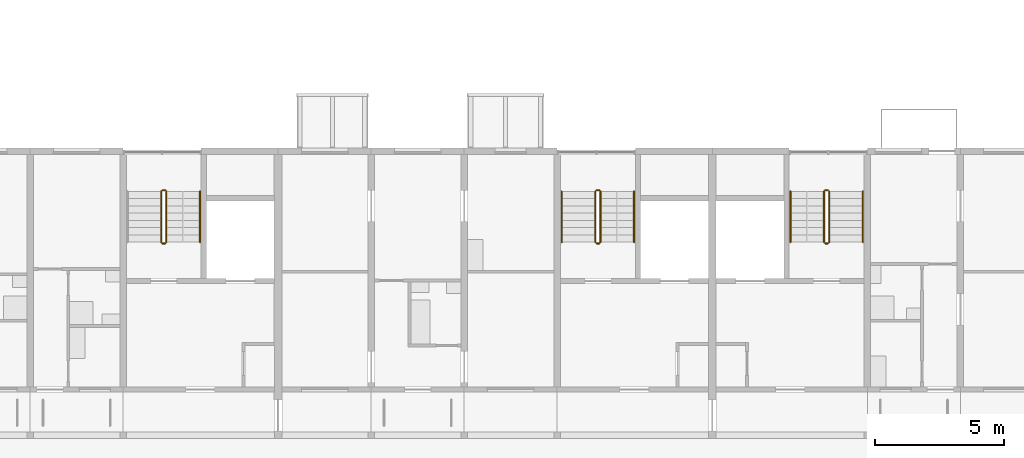
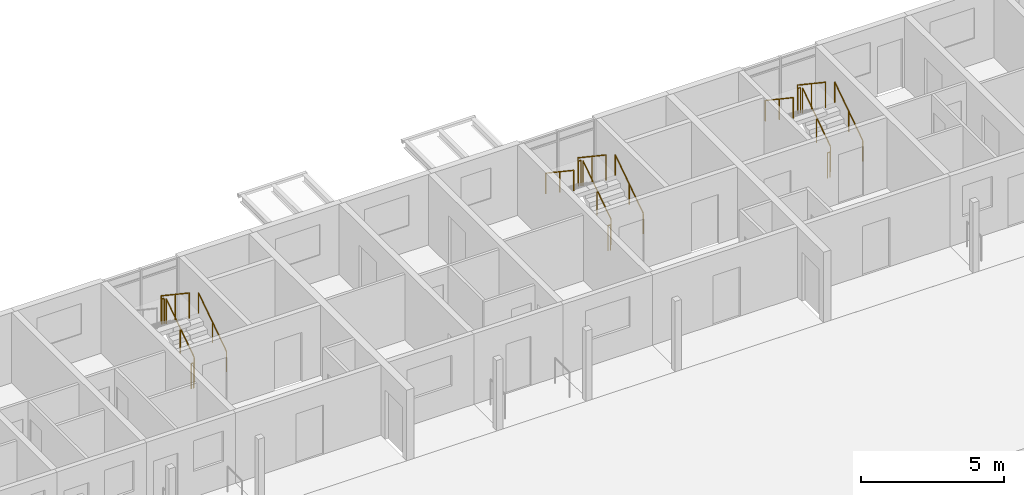
# One storey, part 107 of 115: 17 railings.
"""IFC4 building model written with IfcOpenShell, lengths in metres."""

from ifc_helpers import new_model, si_unit, direction, frame, origin, origin_2d, place, context, subcontext, project, spatial, circle, extrude, material, type_object, element, save


model = new_model("IFC4")

# Units and contexts
model_context = context("Model", 3, precision=1e-05, world=origin(), true_north=direction((0.0, 1.0)))
body_context = subcontext(model_context, "Body", "Model", "MODEL_VIEW")
ifc_project = project(units=[si_unit("LENGTHUNIT", "METRE"), si_unit("AREAUNIT", "SQUARE_METRE"), si_unit("VOLUMEUNIT", "CUBIC_METRE"), si_unit("PLANEANGLEUNIT", "RADIAN"), si_unit("MASSUNIT", "GRAM", prefix="KILO")], contexts=[model_context])

# Site, building, storey
site_placement = place(None, origin())
site = spatial("IfcSite", under=ifc_project, at=site_placement, CompositionType="ELEMENT")
building_placement = place(site_placement, origin())
building = spatial("IfcBuilding", under=site, at=building_placement, Name="Ridgestep Commons", CompositionType="ELEMENT")
storey_placement = place(building_placement, frame((0.0, 0.0, 6.0)))
storey = spatial("IfcBuildingStorey", under=building, at=storey_placement, Name="L02", CompositionType="ELEMENT", Elevation=6.0)

# Railings
ifc_material_1 = material(Name="Structural steel S355JR", Category="steel")
railing_type_1 = type_object("IfcRailingType", Name="Stair guard 1100", PredefinedType="GUARDRAIL", material=ifc_material_1)
railing_1_placement = place(storey_placement, frame((192.875, 19.35009765625, 0.1875)))
element("IfcRailing", 1, at=railing_1_placement, inside=storey, type_object=railing_type_1, Name="L02 D3C stair guard 1", PredefinedType="GUARDRAIL", context=body_context, shape_type="SweptSolid", body=[
    extrude(circle(Radius=0.02392578125, at=origin_2d()), frame((0.0, 0.0, 1.076171875), z_axis=(0.0, 0.830902050051, 0.556418712142), x_axis=(-1.0, 0.0, 0.0)), (0.0, 0.0, 1.0), 2.35888671875),
    extrude(circle(Radius=0.02099609375, at=origin_2d()), origin(), (0.0, 0.0, 1.0), 1.052001953125),
    extrude(circle(Radius=0.02099609375, at=origin_2d()), frame((0.0, 0.97998046875, 0.65625)), (0.0, 0.0, 1.0), 1.052001953125),
    extrude(circle(Radius=0.02099609375, at=origin_2d()), frame((0.0, 1.9599609375, 1.3125)), (0.0, 0.0, 1.0), 1.052001953125),
])
railing_2_placement = place(storey_placement, frame((192.824951171875, 21.360107421875, 1.5)))
element("IfcRailing", 2, at=railing_2_placement, inside=storey, type_object=railing_type_1, Name="L02 D3C stair guard 2", PredefinedType="GUARDRAIL", context=body_context, shape_type="SweptSolid", body=[
    extrude(circle(Radius=0.02392578125, at=origin_2d()), frame((0.0, 0.0, 1.076171875), z_axis=(-1.0, 0.0, 0.0), x_axis=(0.0, -1.0, 0.0)), (0.0, 0.0, 1.0), 0.099853515625),
    extrude(circle(Radius=0.02099609375, at=origin_2d()), origin(), (0.0, 0.0, 1.0), 1.052001953125),
    extrude(circle(Radius=0.02099609375, at=origin_2d()), frame((-0.099853515625, 0.0, 0.0)), (0.0, 0.0, 1.0), 1.052001953125),
])
railing_3_placement = place(storey_placement, frame((192.675048828125, 21.31005859375, 1.6875)))
element("IfcRailing", 3, at=railing_3_placement, inside=storey, type_object=railing_type_1, Name="L02 D3C stair guard 3", PredefinedType="GUARDRAIL", context=body_context, shape_type="SweptSolid", body=[
    extrude(circle(Radius=0.02392578125, at=origin_2d()), frame((0.0, 0.0, 1.076171875), z_axis=(0.0, -0.830902050051, 0.556418712142), x_axis=(1.0, 0.0, 0.0)), (0.0, 0.0, 1.0), 2.35888671875),
    extrude(circle(Radius=0.02099609375, at=origin_2d()), origin(), (0.0, 0.0, 1.0), 1.052001953125),
    extrude(circle(Radius=0.02099609375, at=origin_2d()), frame((0.0, -0.97998046875, 0.65625)), (0.0, 0.0, 1.0), 1.052001953125),
    extrude(circle(Radius=0.02099609375, at=origin_2d()), frame((0.0, -1.9599609375, 1.3125)), (0.0, 0.0, 1.0), 1.052001953125),
])
railing_4_placement = place(storey_placement, frame((192.824951171875, 19.300048828125, 0.0)))
element("IfcRailing", 4, at=railing_4_placement, inside=storey, type_object=railing_type_1, Name="L02 D3C stair guard 4", PredefinedType="GUARDRAIL", context=body_context, shape_type="SweptSolid", body=[
    extrude(circle(Radius=0.02392578125, at=origin_2d()), frame((0.0, 0.0, 1.076171875), z_axis=(-1.0, 0.0, 0.0), x_axis=(0.0, -1.0, 0.0)), (0.0, 0.0, 1.0), 0.099853515625),
    extrude(circle(Radius=0.02099609375, at=origin_2d()), origin(), (0.0, 0.0, 1.0), 1.052001953125),
    extrude(circle(Radius=0.02099609375, at=origin_2d()), frame((-0.099853515625, 0.0, 0.0)), (0.0, 0.0, 1.0), 1.052001953125),
])
railing_5_placement = place(storey_placement, frame((209.675048828125, 19.35009765625, 0.1875)))
element("IfcRailing", 5, at=railing_5_placement, inside=storey, type_object=railing_type_1, Name="L02 D4C stair guard 1", PredefinedType="GUARDRAIL", context=body_context, shape_type="SweptSolid", body=[
    extrude(circle(Radius=0.02392578125, at=origin_2d()), frame((0.0, 0.0, 1.076171875), z_axis=(0.0, 0.830902050051, 0.556418712142), x_axis=(-1.0, 0.0, 0.0)), (0.0, 0.0, 1.0), 2.35888671875),
    extrude(circle(Radius=0.02099609375, at=origin_2d()), origin(), (0.0, 0.0, 1.0), 1.052001953125),
    extrude(circle(Radius=0.02099609375, at=origin_2d()), frame((0.0, 0.97998046875, 0.65625)), (0.0, 0.0, 1.0), 1.052001953125),
    extrude(circle(Radius=0.02099609375, at=origin_2d()), frame((0.0, 1.9599609375, 1.3125)), (0.0, 0.0, 1.0), 1.052001953125),
])
railing_6_placement = place(storey_placement, frame((209.625, 21.360107421875, 1.5)))
element("IfcRailing", 6, at=railing_6_placement, inside=storey, type_object=railing_type_1, Name="L02 D4C stair guard 2", PredefinedType="GUARDRAIL", context=body_context, shape_type="SweptSolid", body=[
    extrude(circle(Radius=0.02392578125, at=origin_2d()), frame((0.0, 0.0, 1.076171875), z_axis=(-1.0, 0.0, 0.0), x_axis=(0.0, -1.0, 0.0)), (0.0, 0.0, 1.0), 0.10009765625),
    extrude(circle(Radius=0.02099609375, at=origin_2d()), origin(), (0.0, 0.0, 1.0), 1.052001953125),
    extrude(circle(Radius=0.02099609375, at=origin_2d()), frame((-0.10009765625, 0.0, 0.0)), (0.0, 0.0, 1.0), 1.052001953125),
])
railing_7_placement = place(storey_placement, frame((209.47509765625, 21.31005859375, 1.6875)))
element("IfcRailing", 7, at=railing_7_placement, inside=storey, type_object=railing_type_1, Name="L02 D4C stair guard 3", PredefinedType="GUARDRAIL", context=body_context, shape_type="SweptSolid", body=[
    extrude(circle(Radius=0.02392578125, at=origin_2d()), frame((0.0, 0.0, 1.076171875), z_axis=(0.0, -0.830902050051, 0.556418712142), x_axis=(1.0, 0.0, 0.0)), (0.0, 0.0, 1.0), 2.35888671875),
    extrude(circle(Radius=0.02099609375, at=origin_2d()), origin(), (0.0, 0.0, 1.0), 1.052001953125),
    extrude(circle(Radius=0.02099609375, at=origin_2d()), frame((0.0, -0.97998046875, 0.65625)), (0.0, 0.0, 1.0), 1.052001953125),
    extrude(circle(Radius=0.02099609375, at=origin_2d()), frame((0.0, -1.9599609375, 1.3125)), (0.0, 0.0, 1.0), 1.052001953125),
])
railing_8_placement = place(storey_placement, frame((209.625, 19.300048828125, 0.0)))
element("IfcRailing", 8, at=railing_8_placement, inside=storey, type_object=railing_type_1, Name="L02 D4C stair guard 4", PredefinedType="GUARDRAIL", context=body_context, shape_type="SweptSolid", body=[
    extrude(circle(Radius=0.02392578125, at=origin_2d()), frame((0.0, 0.0, 1.076171875), z_axis=(-1.0, 0.0, 0.0), x_axis=(0.0, -1.0, 0.0)), (0.0, 0.0, 1.0), 0.10009765625),
    extrude(circle(Radius=0.02099609375, at=origin_2d()), origin(), (0.0, 0.0, 1.0), 1.052001953125),
    extrude(circle(Radius=0.02099609375, at=origin_2d()), frame((-0.10009765625, 0.0, 0.0)), (0.0, 0.0, 1.0), 1.052001953125),
])
railing_9_placement = place(storey_placement, frame((218.52490234375, 19.35009765625, 0.1875)))
element("IfcRailing", 9, at=railing_9_placement, inside=storey, type_object=railing_type_1, Name="L02 D5C stair guard 1", PredefinedType="GUARDRAIL", context=body_context, shape_type="SweptSolid", body=[
    extrude(circle(Radius=0.02392578125, at=origin_2d()), frame((0.0, 0.0, 1.076171875), z_axis=(0.0, 0.830902050051, 0.556418712142), x_axis=(-1.0, 0.0, 0.0)), (0.0, 0.0, 1.0), 2.35888671875),
    extrude(circle(Radius=0.02099609375, at=origin_2d()), origin(), (0.0, 0.0, 1.0), 1.052001953125),
    extrude(circle(Radius=0.02099609375, at=origin_2d()), frame((0.0, 0.97998046875, 0.65625)), (0.0, 0.0, 1.0), 1.052001953125),
    extrude(circle(Radius=0.02099609375, at=origin_2d()), frame((0.0, 1.9599609375, 1.3125)), (0.0, 0.0, 1.0), 1.052001953125),
])
railing_10_placement = place(storey_placement, frame((218.47509765625, 21.360107421875, 1.5)))
element("IfcRailing", 10, at=railing_10_placement, inside=storey, type_object=railing_type_1, Name="L02 D5C stair guard 2", PredefinedType="GUARDRAIL", context=body_context, shape_type="SweptSolid", body=[
    extrude(circle(Radius=0.02392578125, at=origin_2d()), frame((0.0, 0.0, 1.076171875), z_axis=(-1.0, 0.0, 0.0), x_axis=(0.0, -1.0, 0.0)), (0.0, 0.0, 1.0), 0.10009765625),
    extrude(circle(Radius=0.02099609375, at=origin_2d()), origin(), (0.0, 0.0, 1.0), 1.052001953125),
    extrude(circle(Radius=0.02099609375, at=origin_2d()), frame((-0.10009765625, 0.0, 0.0)), (0.0, 0.0, 1.0), 1.052001953125),
])
railing_11_placement = place(storey_placement, frame((218.324951171875, 21.31005859375, 1.6875)))
element("IfcRailing", 11, at=railing_11_placement, inside=storey, type_object=railing_type_1, Name="L02 D5C stair guard 3", PredefinedType="GUARDRAIL", context=body_context, shape_type="SweptSolid", body=[
    extrude(circle(Radius=0.02392578125, at=origin_2d()), frame((0.0, 0.0, 1.076171875), z_axis=(0.0, -0.830902050051, 0.556418712142), x_axis=(1.0, 0.0, 0.0)), (0.0, 0.0, 1.0), 2.35888671875),
    extrude(circle(Radius=0.02099609375, at=origin_2d()), origin(), (0.0, 0.0, 1.0), 1.052001953125),
    extrude(circle(Radius=0.02099609375, at=origin_2d()), frame((0.0, -0.97998046875, 0.65625)), (0.0, 0.0, 1.0), 1.052001953125),
    extrude(circle(Radius=0.02099609375, at=origin_2d()), frame((0.0, -1.9599609375, 1.3125)), (0.0, 0.0, 1.0), 1.052001953125),
])
railing_12_placement = place(storey_placement, frame((218.47509765625, 19.300048828125, 0.0)))
element("IfcRailing", 12, at=railing_12_placement, inside=storey, type_object=railing_type_1, Name="L02 D5C stair guard 4", PredefinedType="GUARDRAIL", context=body_context, shape_type="SweptSolid", body=[
    extrude(circle(Radius=0.02392578125, at=origin_2d()), frame((0.0, 0.0, 1.076171875), z_axis=(-1.0, 0.0, 0.0), x_axis=(0.0, -1.0, 0.0)), (0.0, 0.0, 1.0), 0.10009765625),
    extrude(circle(Radius=0.02099609375, at=origin_2d()), origin(), (0.0, 0.0, 1.0), 1.052001953125),
    extrude(circle(Radius=0.02099609375, at=origin_2d()), frame((-0.10009765625, 0.0, 0.0)), (0.0, 0.0, 1.0), 1.052001953125),
])
ifc_material_2 = material(Name="Structural steel S355JR", Category="steel")
railing_type_2 = type_object("IfcRailingType", Name="Stair handrail 900", PredefinedType="HANDRAIL", material=ifc_material_2)
for number, where, name in (
    (13, (194.175048828125, 19.35009765625, 0.1875), "L02 D3C stair handrail 1"),
    (14, (210.97509765625, 19.35009765625, 0.1875), "L02 D4C stair handrail 1"),
):
    element("IfcRailing", number, at=place(storey_placement, frame(where)), inside=storey, type_object=railing_type_2, Name=name, PredefinedType="HANDRAIL", context=body_context, shape_type="SweptSolid", body=[
        extrude(circle(Radius=0.02392578125, at=origin_2d()), frame((0.0, 0.0, 0.8759765625), z_axis=(0.0, 0.830902050051, 0.556418712142), x_axis=(-1.0, 0.0, 0.0)), (0.0, 0.0, 1.0), 2.35888671875),
        extrude(circle(Radius=0.02099609375, at=origin_2d()), origin(), (0.0, 0.0, 1.0), 0.851806640625),
        extrude(circle(Radius=0.02099609375, at=origin_2d()), frame((0.0, 0.97998046875, 0.65625)), (0.0, 0.0, 1.0), 0.851806640625),
        extrude(circle(Radius=0.02099609375, at=origin_2d()), frame((0.0, 1.9599609375, 1.3125)), (0.0, 0.0, 1.0), 0.851806640625),
    ])
railing_13_placement = place(storey_placement, frame((208.175048828125, 21.31005859375, 1.6875)))
element("IfcRailing", 15, at=railing_13_placement, inside=storey, type_object=railing_type_2, Name="L02 D4C stair handrail 2", PredefinedType="HANDRAIL", context=body_context, shape_type="SweptSolid", body=[
    extrude(circle(Radius=0.02392578125, at=origin_2d()), frame((0.0, 0.0, 0.8759765625), z_axis=(0.0, -0.830902050051, 0.556418712142), x_axis=(1.0, 0.0, 0.0)), (0.0, 0.0, 1.0), 2.35888671875),
    extrude(circle(Radius=0.02099609375, at=origin_2d()), origin(), (0.0, 0.0, 1.0), 0.851806640625),
    extrude(circle(Radius=0.02099609375, at=origin_2d()), frame((0.0, -0.97998046875, 0.65625)), (0.0, 0.0, 1.0), 0.851806640625),
    extrude(circle(Radius=0.02099609375, at=origin_2d()), frame((0.0, -1.9599609375, 1.3125)), (0.0, 0.0, 1.0), 0.851806640625),
])
railing_14_placement = place(storey_placement, frame((219.824951171875, 19.35009765625, 0.1875)))
element("IfcRailing", 16, at=railing_14_placement, inside=storey, type_object=railing_type_2, Name="L02 D5C stair handrail 1", PredefinedType="HANDRAIL", context=body_context, shape_type="SweptSolid", body=[
    extrude(circle(Radius=0.02392578125, at=origin_2d()), frame((0.0, 0.0, 0.8759765625), z_axis=(0.0, 0.830902050051, 0.556418712142), x_axis=(-1.0, 0.0, 0.0)), (0.0, 0.0, 1.0), 2.35888671875),
    extrude(circle(Radius=0.02099609375, at=origin_2d()), origin(), (0.0, 0.0, 1.0), 0.851806640625),
    extrude(circle(Radius=0.02099609375, at=origin_2d()), frame((0.0, 0.97998046875, 0.65625)), (0.0, 0.0, 1.0), 0.851806640625),
    extrude(circle(Radius=0.02099609375, at=origin_2d()), frame((0.0, 1.9599609375, 1.3125)), (0.0, 0.0, 1.0), 0.851806640625),
])
railing_15_placement = place(storey_placement, frame((217.02490234375, 21.31005859375, 1.6875)))
element("IfcRailing", 17, at=railing_15_placement, inside=storey, type_object=railing_type_2, Name="L02 D5C stair handrail 2", PredefinedType="HANDRAIL", context=body_context, shape_type="SweptSolid", body=[
    extrude(circle(Radius=0.02392578125, at=origin_2d()), frame((0.0, 0.0, 0.8759765625), z_axis=(0.0, -0.830902050051, 0.556418712142), x_axis=(1.0, 0.0, 0.0)), (0.0, 0.0, 1.0), 2.35888671875),
    extrude(circle(Radius=0.02099609375, at=origin_2d()), origin(), (0.0, 0.0, 1.0), 0.851806640625),
    extrude(circle(Radius=0.02099609375, at=origin_2d()), frame((0.0, -0.97998046875, 0.65625)), (0.0, 0.0, 1.0), 0.851806640625),
    extrude(circle(Radius=0.02099609375, at=origin_2d()), frame((0.0, -1.9599609375, 1.3125)), (0.0, 0.0, 1.0), 0.851806640625),
])

save(model, "model.ifc")
